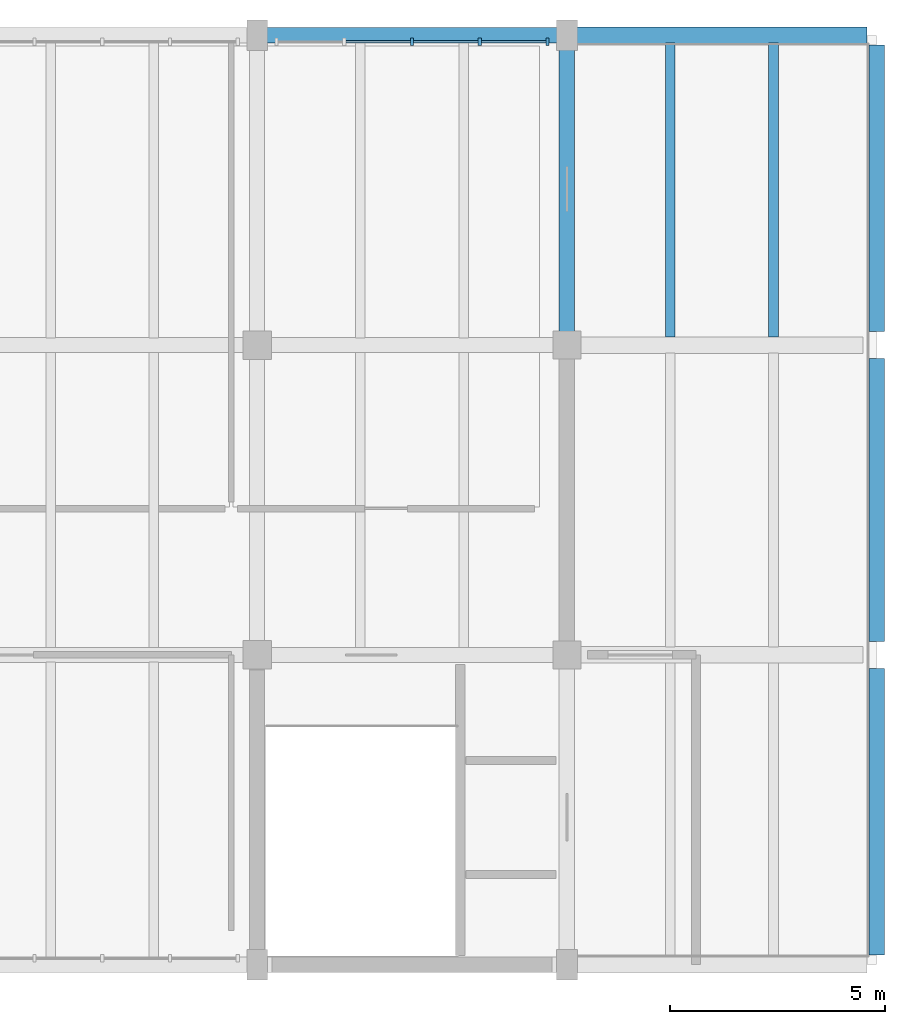
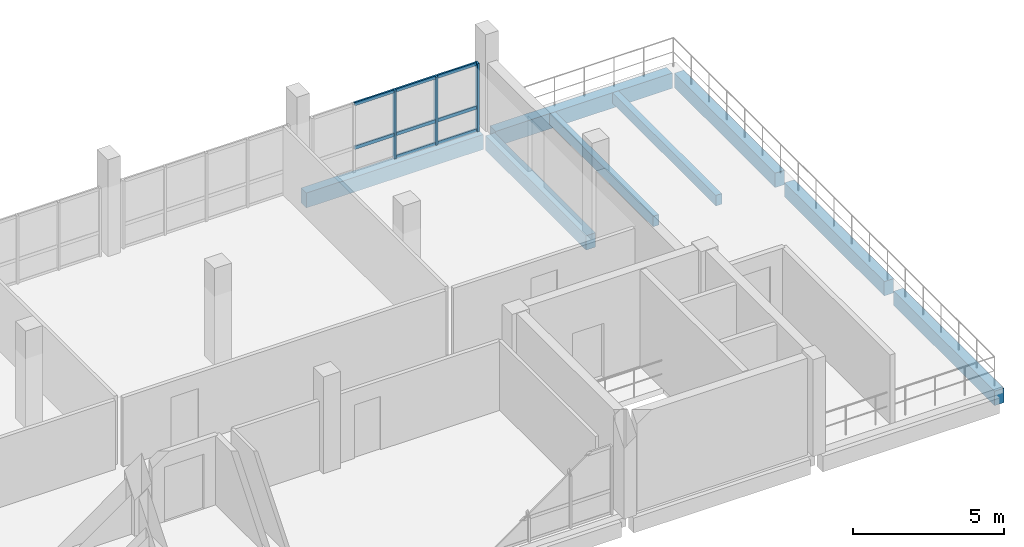
# One storey, part 6 of 10: 11 members, 8 beams, 1 element without a shape of its own.
"""IFC4 building model written with IfcOpenShell, lengths in metres."""

from ifc_helpers import new_model, si_unit, direction, frame, origin, origin_2d, place, context, subcontext, project, spatial, rectangle, extrude, material, material_profile, profile_set, type_object, element, aggregate, save


model = new_model("IFC4")

# Units and contexts
model_context = context("Model", 3, precision=1e-05, world=origin(), true_north=direction((0.0, 1.0)))
body_context = subcontext(model_context, "Body", "Model", "MODEL_VIEW")
ifc_project = project(units=[si_unit("LENGTHUNIT", "METRE"), si_unit("AREAUNIT", "SQUARE_METRE"), si_unit("VOLUMEUNIT", "CUBIC_METRE"), si_unit("PLANEANGLEUNIT", "RADIAN"), si_unit("MASSUNIT", "GRAM", prefix="KILO")], contexts=[model_context])

# Site, building, storey
site_placement = place(None, origin())
site = spatial("IfcSite", under=ifc_project, at=site_placement, CompositionType="ELEMENT")
building_placement = place(site_placement, origin())
building = spatial("IfcBuilding", under=site, at=building_placement, Name="Qiaolan Assembly House", CompositionType="ELEMENT")
storey_placement = place(building_placement, frame((0.0, 0.0, 30.300048828125)))
storey = spatial("IfcBuildingStorey", under=building, at=storey_placement, Name="L07", CompositionType="ELEMENT", Elevation=30.300048828125)

# Beams
ifc_material_1 = material(Name="Concrete C40/50", Category="concrete")
ifc_material_profile_1 = material_profile(ifc_material_1, rectangle(XDim=0.35009765625, YDim=0.60009765625, at=origin_2d()), Name="RCB 350x600")
ifc_profile_set_1 = profile_set([ifc_material_profile_1], Name="Concrete C40/50")
beam_type_1 = type_object("IfcBeamType", Name="BM-RC-350x600", PredefinedType="BEAM", material=ifc_profile_set_1)
beam_1_placement = place(storey_placement, frame((86.6298828125, 115.199951171875, -0.530029296875), z_axis=(1.0, 0.0, 0.0), x_axis=(0.0, 1.0, 0.0)))
element("IfcBeam", 1, at=beam_1_placement, inside=storey, type_object=beam_type_1, Name="GB-08 beam BMX-NW-L07-06-03", PredefinedType="BEAM", context=body_context, shape_type="SweptSolid", body=[
    extrude(rectangle(XDim=0.35009765625, YDim=0.60009765625, at=origin_2d()), origin(), (0.0, 0.0, 1.0), 6.740234375),
])
ifc_material_profile_2 = material_profile(ifc_material_1, rectangle(XDim=0.360107421875, YDim=0.580078125, at=origin_2d()), Name="RCB 360x580")
ifc_profile_set_2 = profile_set([ifc_material_profile_2], Name="Concrete C40/50")
beam_type_2 = type_object("IfcBeamType", Name="BM-RC-360x580", PredefinedType="BEAM", material=ifc_profile_set_2)
for number, where, z_axis, x_axis, name in (
    (2, (93.60009765625, 108.31494140625, -0.550048828125), (0.0, 1.0, 0.0), (-1.0, 0.0, 0.0), "GB-16 beam BMY-NWTE-L07-00-02"),
    (3, (100.800048828125, 93.830078125, -0.550048828125), (0.0, 1.0, 0.0), (-1.0, 0.0, 0.0), "GB-16 beam BMY-NWTE-L07-01-00"),
):
    element("IfcBeam", number, at=place(storey_placement, frame(where, z_axis=z_axis, x_axis=x_axis)), inside=storey, type_object=beam_type_2, Name=name, PredefinedType="BEAM", context=body_context, shape_type="SweptSolid", body=[
        extrude(rectangle(XDim=0.360107421875, YDim=0.580078125, at=origin_2d()), origin(), (0.0, 0.0, 1.0), 6.655029296875),
    ])
beam_2_placement = place(storey_placement, frame((100.800048828125, 101.114990234375, -0.550048828125), z_axis=(0.0, 1.0, 0.0), x_axis=(-1.0, 0.0, 0.0)))
element("IfcBeam", 4, at=beam_2_placement, inside=storey, type_object=beam_type_2, Name="GB-16 beam BMY-NWTE-L07-01-01", PredefinedType="BEAM", context=body_context, shape_type="SweptSolid", body=[
    extrude(rectangle(XDim=0.360107421875, YDim=0.580078125, at=origin_2d()), origin(), (0.0, 0.0, 1.0), 6.570068359375),
])
beam_3_placement = place(storey_placement, frame((100.800048828125, 108.31494140625, -0.550048828125), z_axis=(0.0, 1.0, 0.0), x_axis=(-1.0, 0.0, 0.0)))
element("IfcBeam", 5, at=beam_3_placement, inside=storey, type_object=beam_type_2, Name="GB-16 beam BMY-NWTE-L07-01-02", PredefinedType="BEAM", context=body_context, shape_type="SweptSolid", body=[
    extrude(rectangle(XDim=0.360107421875, YDim=0.580078125, at=origin_2d()), origin(), (0.0, 0.0, 1.0), 6.655029296875),
])
ifc_material_profile_3 = material_profile(ifc_material_1, rectangle(XDim=0.3798828125, YDim=0.6201171875, at=origin_2d()), Name="RCB 380x620")
ifc_profile_set_3 = profile_set([ifc_material_profile_3], Name="Concrete C40/50")
beam_type_3 = type_object("IfcBeamType", Name="BM-RC-380x620", PredefinedType="BEAM", material=ifc_profile_set_3)
beam_4_placement = place(storey_placement, frame((93.830078125, 115.199951171875, -0.570068359375), z_axis=(1.0, 0.0, 0.0), x_axis=(0.0, 1.0, 0.0)))
element("IfcBeam", 6, at=beam_4_placement, inside=storey, type_object=beam_type_3, Name="GB-13 beam BMX-NWTE-L07-00-03", PredefinedType="BEAM", context=body_context, shape_type="SweptSolid", body=[
    extrude(rectangle(XDim=0.3798828125, YDim=0.6201171875, at=origin_2d()), origin(), (0.0, 0.0, 1.0), 6.739990234375),
])

# Curtain wall, members
ifc_material_2 = material(Name="Anodised bronze aluminium", Category="aluminium")
curtain_wall_type = type_object("IfcCurtainWallType", Name="CW-ATTIC-390", PredefinedType="NOTDEFINED", material=ifc_material_2)
curtain_wall_placement = place(storey_placement, origin())
curtain_wall = element("IfcCurtainWall", 7, at=curtain_wall_placement, inside=storey, type_object=curtain_wall_type, Name="CW-04 NW Attic North glazed colonnade bay 7", PredefinedType="NOTDEFINED")
ifc_material_profile_4 = material_profile(ifc_material_2, rectangle(XDim=0.073974609375, YDim=0.1650390625, at=origin_2d()), Name="MUL 74x165")
ifc_profile_set_4 = profile_set([ifc_material_profile_4], Name="Anodised bronze aluminium")
member_type_1 = type_object("IfcMemberType", Name="CW-ATTIC-390-MUL", PredefinedType="MULLION", material=ifc_profile_set_4)
member_1_placement = place(storey_placement, frame((93.14990234375, 115.050048828125, 0.0), z_axis=(0.0, 0.0, 1.0), x_axis=(-1.0, 0.0, 0.0)))
member_1 = element("IfcMember", 8, at=member_1_placement, type_object=member_type_1, Name="ML-05 mullion CW-NW-ATTIC-N-06-1", PredefinedType="MULLION", context=body_context, shape_type="SweptSolid", body=[
    extrude(rectangle(XDim=0.073974609375, YDim=0.1650390625, at=origin_2d()), origin(), (0.0, 0.0, 1.0), 2.739990234375),
])
member_2_placement = place(storey_placement, frame((91.574951171875, 115.050048828125, 0.0), z_axis=(0.0, 0.0, 1.0), x_axis=(-1.0, 0.0, 0.0)))
member_2 = element("IfcMember", 9, at=member_2_placement, type_object=member_type_1, Name="ML-05 mullion CW-NW-ATTIC-N-06-2", PredefinedType="MULLION", context=body_context, shape_type="SweptSolid", body=[
    extrude(rectangle(XDim=0.073974609375, YDim=0.1650390625, at=origin_2d()), origin(), (0.0, 0.0, 1.0), 2.739990234375),
])
member_3_placement = place(storey_placement, frame((90.0, 115.050048828125, 0.0), z_axis=(0.0, 0.0, 1.0), x_axis=(-1.0, 0.0, 0.0)))
member_3 = element("IfcMember", 10, at=member_3_placement, type_object=member_type_1, Name="ML-05 mullion CW-NW-ATTIC-N-06-3", PredefinedType="MULLION", context=body_context, shape_type="SweptSolid", body=[
    extrude(rectangle(XDim=0.073974609375, YDim=0.1650390625, at=origin_2d()), origin(), (0.0, 0.0, 1.0), 2.739990234375),
])
ifc_material_profile_5 = material_profile(ifc_material_2, rectangle(XDim=0.06494140625, YDim=0.1298828125, at=origin_2d()), Name="TRN 65x130")
ifc_profile_set_5 = profile_set([ifc_material_profile_5], Name="Anodised bronze aluminium")
member_type_2 = type_object("IfcMemberType", Name="CW-ATTIC-390-TRN", PredefinedType="USERDEFINED", material=ifc_profile_set_5)
member_4_placement = place(storey_placement, frame((93.113037109375, 115.050048828125, 0.030029296875), z_axis=(-1.0, 0.0, 0.0), x_axis=(0.0, -1.0, 0.0)))
member_4 = element("IfcMember", 11, at=member_4_placement, type_object=member_type_2, Name="TR-05 transom CW-NW-ATTIC-N-06-1-1", ObjectType="TRANSOM", PredefinedType="USERDEFINED", context=body_context, shape_type="SweptSolid", body=[
    extrude(rectangle(XDim=0.06494140625, YDim=0.1298828125, at=origin_2d()), origin(), (0.0, 0.0, 1.0), 1.5009765625),
])
member_5_placement = place(storey_placement, frame((93.113037109375, 115.050048828125, 0.949951171875), z_axis=(-1.0, 0.0, 0.0), x_axis=(0.0, -1.0, 0.0)))
member_5 = element("IfcMember", 12, at=member_5_placement, type_object=member_type_2, Name="TR-05 transom CW-NW-ATTIC-N-06-1-2", ObjectType="TRANSOM", PredefinedType="USERDEFINED", context=body_context, shape_type="SweptSolid", body=[
    extrude(rectangle(XDim=0.06494140625, YDim=0.1298828125, at=origin_2d()), origin(), (0.0, 0.0, 1.0), 1.5009765625),
])
member_6_placement = place(storey_placement, frame((93.113037109375, 115.050048828125, 2.7099609375), z_axis=(-1.0, 0.0, 0.0), x_axis=(0.0, -1.0, 0.0)))
member_6 = element("IfcMember", 13, at=member_6_placement, type_object=member_type_2, Name="TR-05 transom CW-NW-ATTIC-N-06-1-3", ObjectType="TRANSOM", PredefinedType="USERDEFINED", context=body_context, shape_type="SweptSolid", body=[
    extrude(rectangle(XDim=0.06494140625, YDim=0.1298828125, at=origin_2d()), origin(), (0.0, 0.0, 1.0), 1.5009765625),
])
member_7_placement = place(storey_placement, frame((91.5380859375, 115.050048828125, 0.030029296875), z_axis=(-1.0, 0.0, 0.0), x_axis=(0.0, -1.0, 0.0)))
member_7 = element("IfcMember", 14, at=member_7_placement, type_object=member_type_2, Name="TR-05 transom CW-NW-ATTIC-N-06-2-1", ObjectType="TRANSOM", PredefinedType="USERDEFINED", context=body_context, shape_type="SweptSolid", body=[
    extrude(rectangle(XDim=0.06494140625, YDim=0.1298828125, at=origin_2d()), origin(), (0.0, 0.0, 1.0), 1.5009765625),
])
member_8_placement = place(storey_placement, frame((91.5380859375, 115.050048828125, 0.949951171875), z_axis=(-1.0, 0.0, 0.0), x_axis=(0.0, -1.0, 0.0)))
member_8 = element("IfcMember", 15, at=member_8_placement, type_object=member_type_2, Name="TR-05 transom CW-NW-ATTIC-N-06-2-2", ObjectType="TRANSOM", PredefinedType="USERDEFINED", context=body_context, shape_type="SweptSolid", body=[
    extrude(rectangle(XDim=0.06494140625, YDim=0.1298828125, at=origin_2d()), origin(), (0.0, 0.0, 1.0), 1.5009765625),
])
member_9_placement = place(storey_placement, frame((91.5380859375, 115.050048828125, 2.7099609375), z_axis=(-1.0, 0.0, 0.0), x_axis=(0.0, -1.0, 0.0)))
member_9 = element("IfcMember", 16, at=member_9_placement, type_object=member_type_2, Name="TR-05 transom CW-NW-ATTIC-N-06-2-3", ObjectType="TRANSOM", PredefinedType="USERDEFINED", context=body_context, shape_type="SweptSolid", body=[
    extrude(rectangle(XDim=0.06494140625, YDim=0.1298828125, at=origin_2d()), origin(), (0.0, 0.0, 1.0), 1.5009765625),
])
member_10_placement = place(storey_placement, frame((89.962890625, 115.050048828125, 0.949951171875), z_axis=(-1.0, 0.0, 0.0), x_axis=(0.0, -1.0, 0.0)))
member_10 = element("IfcMember", 17, at=member_10_placement, type_object=member_type_2, Name="TR-05 transom CW-NW-ATTIC-N-06-3-2", ObjectType="TRANSOM", PredefinedType="USERDEFINED", context=body_context, shape_type="SweptSolid", body=[
    extrude(rectangle(XDim=0.06494140625, YDim=0.1298828125, at=origin_2d()), origin(), (0.0, 0.0, 1.0), 1.5009765625),
])
member_11_placement = place(storey_placement, frame((89.962890625, 115.050048828125, 2.7099609375), z_axis=(-1.0, 0.0, 0.0), x_axis=(0.0, -1.0, 0.0)))
member_11 = element("IfcMember", 18, at=member_11_placement, type_object=member_type_2, Name="TR-05 transom CW-NW-ATTIC-N-06-3-3", ObjectType="TRANSOM", PredefinedType="USERDEFINED", context=body_context, shape_type="SweptSolid", body=[
    extrude(rectangle(XDim=0.06494140625, YDim=0.1298828125, at=origin_2d()), origin(), (0.0, 0.0, 1.0), 1.5009765625),
])
aggregate(curtain_wall, [member_1, member_2, member_3, member_4, member_5, member_6, member_7, member_8, member_9, member_10, member_11])

# Beams
ifc_material_profile_6 = material_profile(ifc_material_1, rectangle(XDim=0.22509765625, YDim=0.425048828125, at=origin_2d()), Name="RCB 225x425")
ifc_profile_set_6 = profile_set([ifc_material_profile_6], Name="Concrete C40/50")
beam_type_4 = type_object("IfcBeamType", Name="JST-RC-225x425", PredefinedType="JOIST", material=ifc_profile_set_6)
for number, where, z_axis, x_axis, name in (
    (19, (96.0, 108.18408203125, -0.47265625), (0.0, 1.0, 0.0), (-1.0, 0.0, 0.0), "RJ-06 beam JST-NWTE-L07-00-02-1"),
    (20, (98.39990234375, 108.18408203125, -0.47265625), (0.0, 1.0, 0.0), (-1.0, 0.0, 0.0), "RJ-06 beam JST-NWTE-L07-00-02-2"),
):
    element("IfcBeam", number, at=place(storey_placement, frame(where, z_axis=z_axis, x_axis=x_axis)), inside=storey, type_object=beam_type_4, Name=name, PredefinedType="JOIST", context=body_context, shape_type="SweptSolid", body=[
        extrude(rectangle(XDim=0.22509765625, YDim=0.425048828125, at=origin_2d()), origin(), (0.0, 0.0, 1.0), 6.83203125),
    ])

save(model, "model.ifc")
